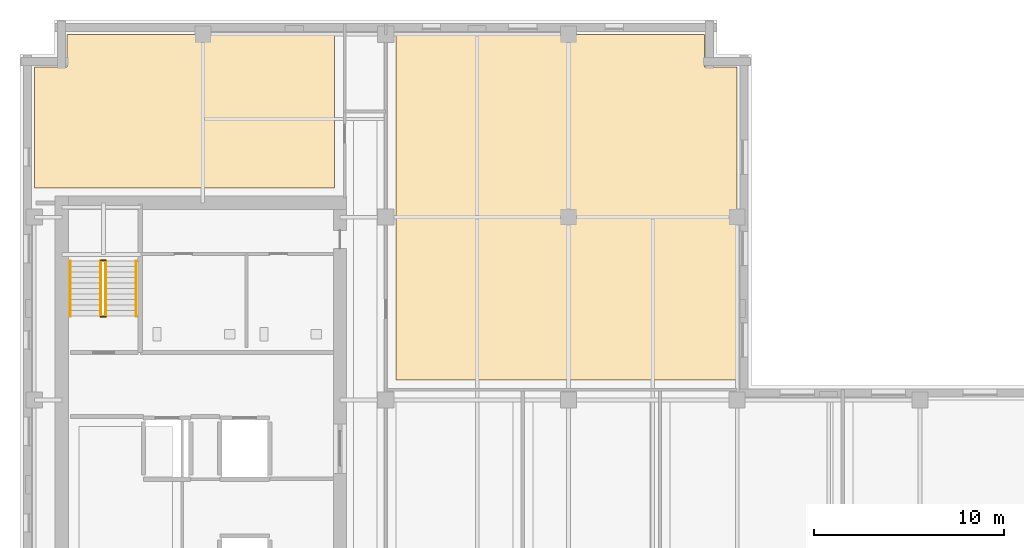
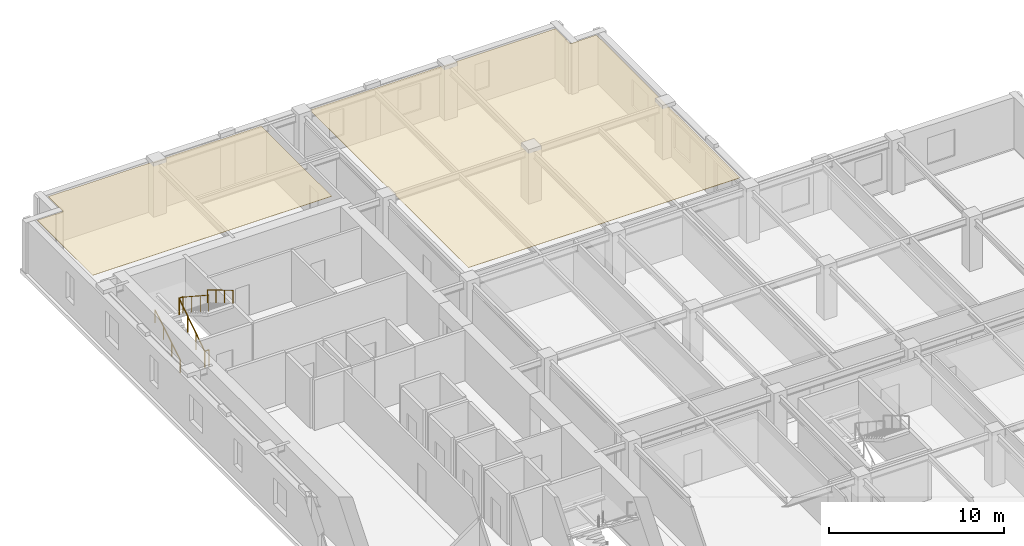
# One storey, part 10 of 11: 6 railings, 2 coverings.
"""IFC4 building model written with IfcOpenShell, lengths in metres."""

from ifc_helpers import new_model, si_unit, direction, frame, origin, origin_2d, place, context, subcontext, project, spatial, polyline, circle, outline, extrude, material, layer, layer_set, type_object, element, save


model = new_model("IFC4")

# Units and contexts
model_context = context("Model", 3, precision=1e-05, world=origin(), true_north=direction((0.0, 1.0)))
body_context = subcontext(model_context, "Body", "Model", "MODEL_VIEW")
ifc_project = project(units=[si_unit("LENGTHUNIT", "METRE"), si_unit("AREAUNIT", "SQUARE_METRE"), si_unit("VOLUMEUNIT", "CUBIC_METRE"), si_unit("PLANEANGLEUNIT", "RADIAN"), si_unit("MASSUNIT", "GRAM", prefix="KILO")], contexts=[model_context])

# Site, building, storey
site_placement = place(None, origin())
site = spatial("IfcSite", under=ifc_project, at=site_placement, CompositionType="ELEMENT")
building_placement = place(site_placement, origin())
building = spatial("IfcBuilding", under=site, at=building_placement, Name="Norrvale University Quadrangle", CompositionType="ELEMENT")
storey_placement = place(building_placement, frame((0.0, 0.0, 206.60009765625)))
storey = spatial("IfcBuildingStorey", under=building, at=storey_placement, Name="L52", CompositionType="ELEMENT", Elevation=206.60009765625)

# Coverings
ifc_material_1 = material(Name="Perforated Acoustic Mineral Ceiling")
ifc_layer = layer(ifc_material_1, 0.02490234375, Name="Perforated Acoustic Mineral Ceiling")
ifc_layer_set = layer_set([ifc_layer], Name="Perforated Acoustic Mineral Ceiling")
covering_type = type_object("IfcCoveringType", Name="Covering Acoustic Ceiling 25", PredefinedType="CEILING", material=ifc_layer_set)
covering_1_placement = place(storey_placement, frame((0.0, 0.0, 3.514892578125)))
element("IfcCovering", 1, at=covering_1_placement, inside=storey, type_object=covering_type, Name="Acoustic Ceiling RM-L52-NE01", PredefinedType="CEILING", context=body_context, shape_type="SweptSolid", body=[
    extrude(outline(polyline([(37.64990234375, 38.7099609375), (19.72998046875, 38.7099609375), (19.72998046875, 56.85009765625), (35.929931640625, 56.85009765625), (35.929931640625, 55.1298828125), (37.64990234375, 55.1298828125), (37.64990234375, 38.7099609375)])), origin(), (0.0, 0.0, 1.0), 0.02490234375),
])
covering_2_placement = place(storey_placement, frame((0.0, 0.0, 3.514892578125)))
element("IfcCovering", 2, at=covering_2_placement, inside=storey, type_object=covering_type, Name="Acoustic Ceiling RM-L52-NW01", PredefinedType="CEILING", context=body_context, shape_type="SweptSolid", body=[
    extrude(outline(polyline([(16.52001953125, 56.85009765625), (16.52001953125, 48.780029296875), (0.75, 48.780029296875), (0.75, 55.1298828125), (2.469970703125, 55.1298828125), (2.469970703125, 56.85009765625), (16.52001953125, 56.85009765625)])), origin(), (0.0, 0.0, 1.0), 0.02490234375),
])

# Railings
ifc_material_2 = material(Name="Steel 350W Painted Balustrade", Category="steel")
railing_type_1 = type_object("IfcRailingType", Name="Railing Stair Guard 1100", PredefinedType="GUARDRAIL", material=ifc_material_2)
for number, where, name in (
    (3, (4.239990234375, 42.02001953125, 0.0), "Stair Floor Well Guard ST-02 L52"),
    (4, (4.239990234375, 44.97998046875, 1.89990234375), "Stair Mid-Landing Slot Guard ST-02 L52"),
):
    element("IfcRailing", number, at=place(storey_placement, frame(where)), inside=storey, type_object=railing_type_1, Name=name, PredefinedType="GUARDRAIL", context=body_context, shape_type="SweptSolid", body=[
        extrude(circle(Radius=0.02392578125, at=origin_2d()), frame((0.0, 0.0, 1.1259765625), z_axis=(1.0, 0.0, 0.0), x_axis=(0.0, 1.0, 0.0)), (0.0, 0.0, 1.0), 0.27001953125),
        extrude(circle(Radius=0.02099609375, at=origin_2d()), origin(), (0.0, 0.0, 1.0), 1.101806640625),
        extrude(circle(Radius=0.02099609375, at=origin_2d()), frame((0.27001953125, 0.0, 0.0)), (0.0, 0.0, 1.0), 1.101806640625),
    ])
railing_1_placement = place(storey_placement, frame((4.239990234375, 42.050048828125, 0.0)))
element("IfcRailing", 5, at=railing_1_placement, inside=storey, type_object=railing_type_1, Name="Stair Lower Flight Inner Guard ST-02 L52", PredefinedType="GUARDRAIL", context=body_context, shape_type="SweptSolid", body=[
    extrude(circle(Radius=0.02392578125, at=origin_2d()), frame((0.0, 0.0, 1.1259765625), z_axis=(0.0, 0.836465582154, 0.548019461216), x_axis=(-1.0, 0.0, 0.0)), (0.0, 0.0, 1.0), 3.466796875),
    extrude(circle(Radius=0.02099609375, at=origin_2d()), origin(), (0.0, 0.0, 1.0), 1.101806640625),
    extrude(circle(Radius=0.02099609375, at=origin_2d()), frame((0.0, 0.966552734375, 0.63330078125)), (0.0, 0.0, 1.0), 1.101806640625),
    extrude(circle(Radius=0.02099609375, at=origin_2d()), frame((0.0, 1.933349609375, 1.2666015625)), (0.0, 0.0, 1.0), 1.101806640625),
    extrude(circle(Radius=0.02099609375, at=origin_2d()), frame((0.0, 2.89990234375, 1.89990234375)), (0.0, 0.0, 1.0), 1.101806640625),
])
railing_2_placement = place(storey_placement, frame((4.510009765625, 44.949951171875, 1.89990234375)))
element("IfcRailing", 6, at=railing_2_placement, inside=storey, type_object=railing_type_1, Name="Stair Upper Flight Inner Guard ST-02 L52", PredefinedType="GUARDRAIL", context=body_context, shape_type="SweptSolid", body=[
    extrude(circle(Radius=0.02392578125, at=origin_2d()), frame((0.0, 0.0, 1.1259765625), z_axis=(0.0, -0.836465582154, 0.548019461216), x_axis=(1.0, 0.0, 0.0)), (0.0, 0.0, 1.0), 3.466796875),
    extrude(circle(Radius=0.02099609375, at=origin_2d()), origin(), (0.0, 0.0, 1.0), 1.101806640625),
    extrude(circle(Radius=0.02099609375, at=origin_2d()), frame((0.0, -0.966552734375, 0.63330078125)), (0.0, 0.0, 1.0), 1.101806640625),
    extrude(circle(Radius=0.02099609375, at=origin_2d()), frame((0.0, -1.933349609375, 1.2666015625)), (0.0, 0.0, 1.0), 1.101806640625),
    extrude(circle(Radius=0.02099609375, at=origin_2d()), frame((0.0, -2.89990234375, 1.89990234375)), (0.0, 0.0, 1.0), 1.101806640625),
])
ifc_material_3 = material(Name="Stainless Steel 316L Handrail", Category="steel")
railing_type_2 = type_object("IfcRailingType", Name="Railing Stair Handrail 920", PredefinedType="HANDRAIL", material=ifc_material_3)
railing_3_placement = place(storey_placement, frame((2.639892578125, 42.050048828125, 0.172607421875)))
element("IfcRailing", 7, at=railing_3_placement, inside=storey, type_object=railing_type_2, Name="Stair Lower Flight Handrail ST-02 L52", PredefinedType="HANDRAIL", context=body_context, shape_type="SweptSolid", body=[
    extrude(circle(Radius=0.02392578125, at=origin_2d()), frame((0.0, 0.0, 0.89599609375), z_axis=(0.0, 0.859141464434, 0.511738159696), x_axis=(-1.0, 0.0, 0.0)), (0.0, 0.0, 1.0), 3.375244140625),
    extrude(circle(Radius=0.02099609375, at=origin_2d()), origin(), (0.0, 0.0, 1.0), 0.871826171875),
    extrude(circle(Radius=0.02099609375, at=origin_2d()), frame((0.0, 0.966552734375, 0.57568359375)), (0.0, 0.0, 1.0), 0.871826171875),
    extrude(circle(Radius=0.02099609375, at=origin_2d()), frame((0.0, 1.933349609375, 1.151611328125)), (0.0, 0.0, 1.0), 0.871826171875),
    extrude(circle(Radius=0.02099609375, at=origin_2d()), frame((0.0, 2.89990234375, 1.727294921875)), (0.0, 0.0, 1.0), 0.871826171875),
])
railing_4_placement = place(storey_placement, frame((6.110107421875, 44.949951171875, 2.072509765625)))
element("IfcRailing", 8, at=railing_4_placement, inside=storey, type_object=railing_type_2, Name="Stair Upper Flight Handrail ST-02 L52", PredefinedType="HANDRAIL", context=body_context, shape_type="SweptSolid", body=[
    extrude(circle(Radius=0.02392578125, at=origin_2d()), frame((0.0, 0.0, 0.89599609375), z_axis=(0.0, -0.859141464434, 0.511738159696), x_axis=(1.0, 0.0, 0.0)), (0.0, 0.0, 1.0), 3.375244140625),
    extrude(circle(Radius=0.02099609375, at=origin_2d()), origin(), (0.0, 0.0, 1.0), 0.871826171875),
    extrude(circle(Radius=0.02099609375, at=origin_2d()), frame((0.0, -0.966552734375, 0.57568359375)), (0.0, 0.0, 1.0), 0.871826171875),
    extrude(circle(Radius=0.02099609375, at=origin_2d()), frame((0.0, -1.933349609375, 1.151611328125)), (0.0, 0.0, 1.0), 0.871826171875),
    extrude(circle(Radius=0.02099609375, at=origin_2d()), frame((0.0, -2.89990234375, 1.727294921875)), (0.0, 0.0, 1.0), 0.871826171875),
])

save(model, "model.ifc")
